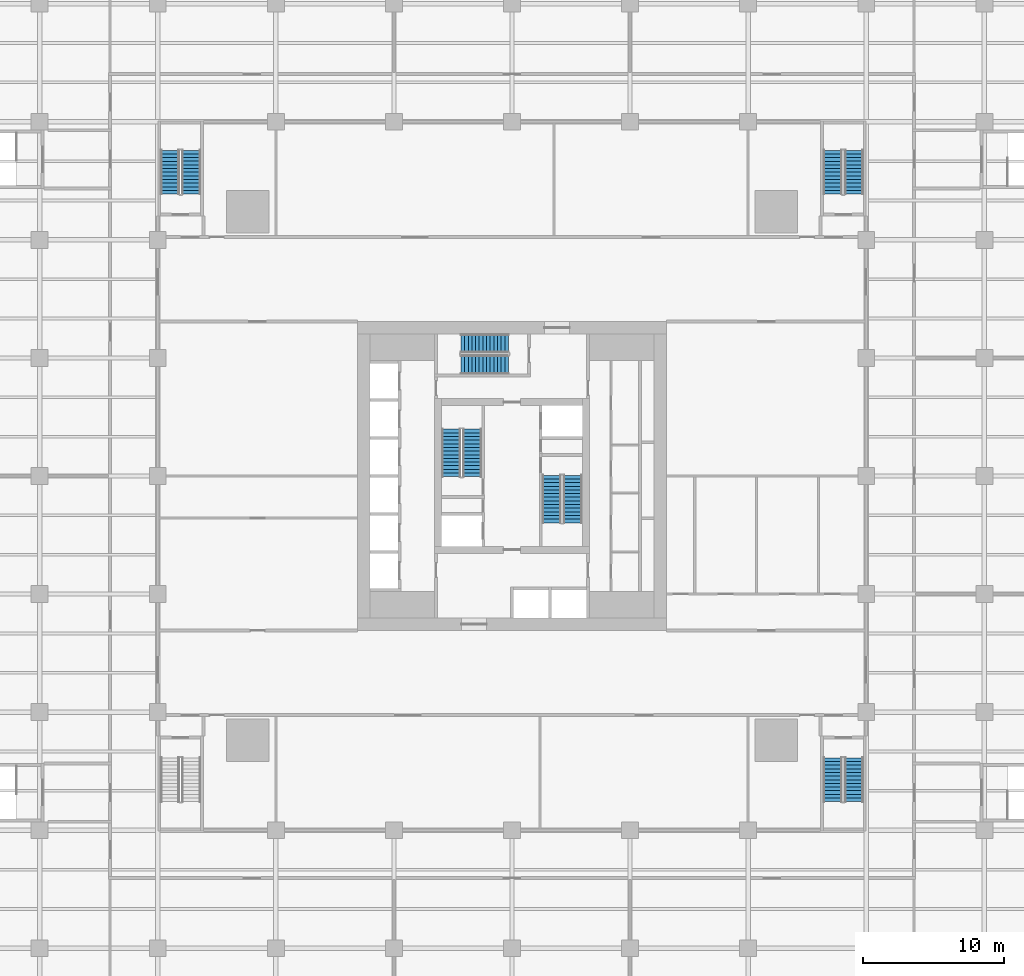
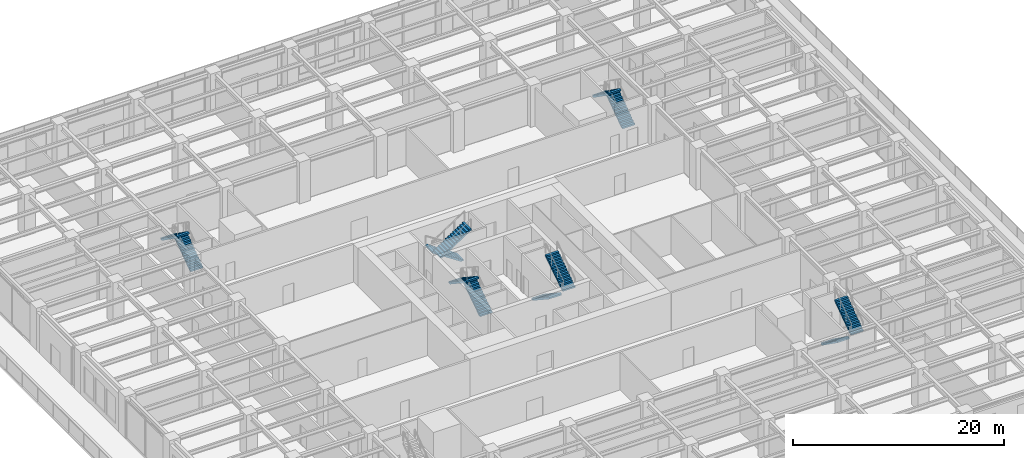
# One storey, part 45 of 53: 12 stair flights, 6 elements without a shape of their own.
"""IFC4 building model written with IfcOpenShell, lengths in metres."""

from ifc_helpers import new_model, si_unit, direction, frame, origin, place, context, subcontext, project, spatial, polyline, outline, extrude, material, type_object, element, aggregate, save


model = new_model("IFC4")

# Units and contexts
model_context = context("Model", 3, precision=1e-05, world=origin(), true_north=direction((0.0, 1.0)))
body_context = subcontext(model_context, "Body", "Model", "MODEL_VIEW")
ifc_project = project(units=[si_unit("LENGTHUNIT", "METRE"), si_unit("AREAUNIT", "SQUARE_METRE"), si_unit("VOLUMEUNIT", "CUBIC_METRE"), si_unit("PLANEANGLEUNIT", "RADIAN"), si_unit("MASSUNIT", "GRAM", prefix="KILO")], contexts=[model_context])

# Site, building, storey
site_placement = place(None, origin())
site = spatial("IfcSite", under=ifc_project, at=site_placement, CompositionType="ELEMENT")
building_placement = place(site_placement, origin())
building = spatial("IfcBuilding", under=site, at=building_placement, Name="Khepri Terraces", CompositionType="ELEMENT")
storey_placement = place(building_placement, frame((0.0, 0.0, 7.199951171875)))
storey = spatial("IfcBuildingStorey", under=building, at=storey_placement, Name="L01", CompositionType="ELEMENT", Elevation=7.199951171875)

# Stair, stair flights
ifc_material = material(Name="Concrete C40/50", Category="concrete")
stair_type_1 = type_object("IfcStairType", Name="ST-POD", PredefinedType="HALF_TURN_STAIR", material=ifc_material)
stair_1_placement = place(storey_placement, origin())
stair_1 = element("IfcStair", 1, at=stair_1_placement, inside=storey, type_object=stair_type_1, Name="L01 Exit Stair PS-1", PredefinedType="HALF_TURN_STAIR")
stair_flight_type_1 = type_object("IfcStairFlightType", Name="SFL-POD", PredefinedType="STRAIGHT", material=ifc_material)
stair_flight_1_placement = place(storey_placement, frame((24.324951171875, 20.050048828125, 0.0), z_axis=(0.0, 0.0, 1.0), x_axis=(0.0, 1.0, 0.0)))
stair_flight_1 = element("IfcStairFlight", 2, at=stair_flight_1_placement, type_object=stair_flight_type_1, Name="PS-1 flight 1", NumberOfRisers=13, NumberOfTreads=12, PredefinedType="STRAIGHT", RiserHeight=0.184615385, TreadLength=0.26, context=body_context, shape_type="SweptSolid", body=[
    extrude(outline(polyline([(0.0, 0.0), (0.0, 0.1845703125), (0.260009765625, 0.1845703125), (0.260009765625, 0.369140625), (0.52001953125, 0.369140625), (0.52001953125, 0.553955078125), (0.780029296875, 0.553955078125), (0.780029296875, 0.738525390625), (1.0400390625, 0.738525390625), (1.0400390625, 0.923095703125), (1.300048828125, 0.923095703125), (1.300048828125, 1.107666015625), (1.56005859375, 1.107666015625), (1.56005859375, 1.292236328125), (1.820068359375, 1.292236328125), (1.820068359375, 1.476806640625), (2.080078125, 1.476806640625), (2.080078125, 1.66162109375), (2.340087890625, 1.66162109375), (2.340087890625, 1.84619140625), (2.60009765625, 1.84619140625), (2.60009765625, 2.03076171875), (2.860107421875, 2.03076171875), (2.860107421875, 2.21533203125), (3.1201171875, 2.21533203125), (3.1201171875, 2.39990234375), (3.1201171875, 2.031494140625), (0.259033203125, 0.0), (0.0, 0.0)])), frame((0.0, 0.675048828125, 0.0), z_axis=(0.0, -1.0, 0.0), x_axis=(1.0, 0.0, 0.0)), (0.0, 0.0, 1.0), 1.35009765625),
])
stair_flight_2_placement = place(storey_placement, frame((22.824951171875, 23.169921875, 2.400146484375), z_axis=(0.0, 0.0, 1.0), x_axis=(0.0, -1.0, 0.0)))
stair_flight_2 = element("IfcStairFlight", 3, at=stair_flight_2_placement, type_object=stair_flight_type_1, Name="PS-1 flight 2", NumberOfRisers=13, NumberOfTreads=12, PredefinedType="STRAIGHT", RiserHeight=0.184615385, TreadLength=0.26, context=body_context, shape_type="SweptSolid", body=[
    extrude(outline(polyline([(0.0, 0.0), (0.0, 0.1845703125), (0.260009765625, 0.1845703125), (0.260009765625, 0.369140625), (0.52001953125, 0.369140625), (0.52001953125, 0.553955078125), (0.780029296875, 0.553955078125), (0.780029296875, 0.738525390625), (1.0400390625, 0.738525390625), (1.0400390625, 0.923095703125), (1.300048828125, 0.923095703125), (1.300048828125, 1.107666015625), (1.56005859375, 1.107666015625), (1.56005859375, 1.292236328125), (1.820068359375, 1.292236328125), (1.820068359375, 1.476806640625), (2.080078125, 1.476806640625), (2.080078125, 1.66162109375), (2.340087890625, 1.66162109375), (2.340087890625, 1.84619140625), (2.60009765625, 1.84619140625), (2.60009765625, 2.03076171875), (2.860107421875, 2.03076171875), (2.860107421875, 2.21533203125), (3.1201171875, 2.21533203125), (3.1201171875, 2.39990234375), (3.1201171875, 2.031494140625), (0.259033203125, 0.0), (0.0, 0.0)])), frame((0.0, 0.675048828125, 0.0), z_axis=(0.0, -1.0, 0.0), x_axis=(1.0, 0.0, 0.0)), (0.0, 0.0, 1.0), 1.35009765625),
])
aggregate(stair_1, [stair_flight_1, stair_flight_2])

stair_2_placement = place(storey_placement, origin())
stair_2 = element("IfcStair", 4, at=stair_2_placement, inside=storey, type_object=stair_type_1, Name="L01 Exit Stair PS-2", PredefinedType="HALF_TURN_STAIR")
stair_flight_3_placement = place(storey_placement, frame((-22.824951171875, 20.050048828125, 0.0), z_axis=(0.0, 0.0, 1.0), x_axis=(0.0, 1.0, 0.0)))
stair_flight_3 = element("IfcStairFlight", 5, at=stair_flight_3_placement, type_object=stair_flight_type_1, Name="PS-2 flight 1", NumberOfRisers=13, NumberOfTreads=12, PredefinedType="STRAIGHT", RiserHeight=0.184615385, TreadLength=0.26, context=body_context, shape_type="SweptSolid", body=[
    extrude(outline(polyline([(0.0, 0.0), (0.0, 0.1845703125), (0.260009765625, 0.1845703125), (0.260009765625, 0.369140625), (0.52001953125, 0.369140625), (0.52001953125, 0.553955078125), (0.780029296875, 0.553955078125), (0.780029296875, 0.738525390625), (1.0400390625, 0.738525390625), (1.0400390625, 0.923095703125), (1.300048828125, 0.923095703125), (1.300048828125, 1.107666015625), (1.56005859375, 1.107666015625), (1.56005859375, 1.292236328125), (1.820068359375, 1.292236328125), (1.820068359375, 1.476806640625), (2.080078125, 1.476806640625), (2.080078125, 1.66162109375), (2.340087890625, 1.66162109375), (2.340087890625, 1.84619140625), (2.60009765625, 1.84619140625), (2.60009765625, 2.03076171875), (2.860107421875, 2.03076171875), (2.860107421875, 2.21533203125), (3.1201171875, 2.21533203125), (3.1201171875, 2.39990234375), (3.1201171875, 2.031494140625), (0.259033203125, 0.0), (0.0, 0.0)])), frame((0.0, 0.675048828125, 0.0), z_axis=(0.0, -1.0, 0.0), x_axis=(1.0, 0.0, 0.0)), (0.0, 0.0, 1.0), 1.35009765625),
])
stair_flight_4_placement = place(storey_placement, frame((-24.324951171875, 23.169921875, 2.400146484375), z_axis=(0.0, 0.0, 1.0), x_axis=(0.0, -1.0, 0.0)))
stair_flight_4 = element("IfcStairFlight", 6, at=stair_flight_4_placement, type_object=stair_flight_type_1, Name="PS-2 flight 2", NumberOfRisers=13, NumberOfTreads=12, PredefinedType="STRAIGHT", RiserHeight=0.184615385, TreadLength=0.26, context=body_context, shape_type="SweptSolid", body=[
    extrude(outline(polyline([(0.0, 0.0), (0.0, 0.1845703125), (0.260009765625, 0.1845703125), (0.260009765625, 0.369140625), (0.52001953125, 0.369140625), (0.52001953125, 0.553955078125), (0.780029296875, 0.553955078125), (0.780029296875, 0.738525390625), (1.0400390625, 0.738525390625), (1.0400390625, 0.923095703125), (1.300048828125, 0.923095703125), (1.300048828125, 1.107666015625), (1.56005859375, 1.107666015625), (1.56005859375, 1.292236328125), (1.820068359375, 1.292236328125), (1.820068359375, 1.476806640625), (2.080078125, 1.476806640625), (2.080078125, 1.66162109375), (2.340087890625, 1.66162109375), (2.340087890625, 1.84619140625), (2.60009765625, 1.84619140625), (2.60009765625, 2.03076171875), (2.860107421875, 2.03076171875), (2.860107421875, 2.21533203125), (3.1201171875, 2.21533203125), (3.1201171875, 2.39990234375), (3.1201171875, 2.031494140625), (0.259033203125, 0.0), (0.0, 0.0)])), frame((0.0, 0.675048828125, 0.0), z_axis=(0.0, -1.0, 0.0), x_axis=(1.0, 0.0, 0.0)), (0.0, 0.0, 1.0), 1.35009765625),
])
aggregate(stair_2, [stair_flight_3, stair_flight_4])

stair_3_placement = place(storey_placement, origin())
stair_3 = element("IfcStair", 7, at=stair_3_placement, inside=storey, type_object=stair_type_1, Name="L01 Exit Stair PS-3", PredefinedType="HALF_TURN_STAIR")
stair_flight_5_placement = place(storey_placement, frame((22.824951171875, -20.050048828125, 0.0), z_axis=(0.0, 0.0, 1.0), x_axis=(0.0, -1.0, 0.0)))
stair_flight_5 = element("IfcStairFlight", 8, at=stair_flight_5_placement, type_object=stair_flight_type_1, Name="PS-3 flight 1", NumberOfRisers=13, NumberOfTreads=12, PredefinedType="STRAIGHT", RiserHeight=0.184615385, TreadLength=0.26, context=body_context, shape_type="SweptSolid", body=[
    extrude(outline(polyline([(0.0, 0.0), (0.0, 0.1845703125), (0.260009765625, 0.1845703125), (0.260009765625, 0.369140625), (0.52001953125, 0.369140625), (0.52001953125, 0.553955078125), (0.780029296875, 0.553955078125), (0.780029296875, 0.738525390625), (1.0400390625, 0.738525390625), (1.0400390625, 0.923095703125), (1.300048828125, 0.923095703125), (1.300048828125, 1.107666015625), (1.56005859375, 1.107666015625), (1.56005859375, 1.292236328125), (1.820068359375, 1.292236328125), (1.820068359375, 1.476806640625), (2.080078125, 1.476806640625), (2.080078125, 1.66162109375), (2.340087890625, 1.66162109375), (2.340087890625, 1.84619140625), (2.60009765625, 1.84619140625), (2.60009765625, 2.03076171875), (2.860107421875, 2.03076171875), (2.860107421875, 2.21533203125), (3.1201171875, 2.21533203125), (3.1201171875, 2.39990234375), (3.1201171875, 2.031494140625), (0.259033203125, 0.0), (0.0, 0.0)])), frame((0.0, 0.675048828125, 0.0), z_axis=(0.0, -1.0, 0.0), x_axis=(1.0, 0.0, 0.0)), (0.0, 0.0, 1.0), 1.35009765625),
])
stair_flight_6_placement = place(storey_placement, frame((24.324951171875, -23.169921875, 2.400146484375), z_axis=(0.0, 0.0, 1.0), x_axis=(0.0, 1.0, 0.0)))
stair_flight_6 = element("IfcStairFlight", 9, at=stair_flight_6_placement, type_object=stair_flight_type_1, Name="PS-3 flight 2", NumberOfRisers=13, NumberOfTreads=12, PredefinedType="STRAIGHT", RiserHeight=0.184615385, TreadLength=0.26, context=body_context, shape_type="SweptSolid", body=[
    extrude(outline(polyline([(0.0, 0.0), (0.0, 0.1845703125), (0.260009765625, 0.1845703125), (0.260009765625, 0.369140625), (0.52001953125, 0.369140625), (0.52001953125, 0.553955078125), (0.780029296875, 0.553955078125), (0.780029296875, 0.738525390625), (1.0400390625, 0.738525390625), (1.0400390625, 0.923095703125), (1.300048828125, 0.923095703125), (1.300048828125, 1.107666015625), (1.56005859375, 1.107666015625), (1.56005859375, 1.292236328125), (1.820068359375, 1.292236328125), (1.820068359375, 1.476806640625), (2.080078125, 1.476806640625), (2.080078125, 1.66162109375), (2.340087890625, 1.66162109375), (2.340087890625, 1.84619140625), (2.60009765625, 1.84619140625), (2.60009765625, 2.03076171875), (2.860107421875, 2.03076171875), (2.860107421875, 2.21533203125), (3.1201171875, 2.21533203125), (3.1201171875, 2.39990234375), (3.1201171875, 2.031494140625), (0.259033203125, 0.0), (0.0, 0.0)])), frame((0.0, 0.675048828125, 0.0), z_axis=(0.0, -1.0, 0.0), x_axis=(1.0, 0.0, 0.0)), (0.0, 0.0, 1.0), 1.35009765625),
])
aggregate(stair_3, [stair_flight_5, stair_flight_6])

stair_type_2 = type_object("IfcStairType", Name="STAIR-RC-28R", PredefinedType="HALF_TURN_STAIR", material=ifc_material)
stair_4_placement = place(storey_placement, origin())
stair_4 = element("IfcStair", 10, at=stair_4_placement, inside=storey, type_object=stair_type_2, Name="L01 Exit Stair ST-1", PredefinedType="HALF_TURN_STAIR")
stair_flight_type_2 = type_object("IfcStairFlightType", Name="SFL-RC-171.4", PredefinedType="STRAIGHT", material=ifc_material)
stair_flight_7_placement = place(storey_placement, frame((-2.824951171875, -0.050048828125, 0.0), z_axis=(0.0, 0.0, 1.0), x_axis=(0.0, 1.0, 0.0)))
stair_flight_7 = element("IfcStairFlight", 11, at=stair_flight_7_placement, type_object=stair_flight_type_2, Name="ST-1 flight 1", NumberOfRisers=14, NumberOfTreads=13, PredefinedType="STRAIGHT", RiserHeight=0.171428571, TreadLength=0.26, context=body_context, shape_type="SweptSolid", body=[
    extrude(outline(polyline([(0.0, 0.0), (0.0, 0.17138671875), (0.260009765625, 0.17138671875), (0.260009765625, 0.3427734375), (0.52001953125, 0.3427734375), (0.52001953125, 0.514404296875), (0.780029296875, 0.514404296875), (0.780029296875, 0.685791015625), (1.0400390625, 0.685791015625), (1.0400390625, 0.857177734375), (1.300048828125, 0.857177734375), (1.300048828125, 1.028564453125), (1.56005859375, 1.028564453125), (1.56005859375, 1.199951171875), (1.820068359375, 1.199951171875), (1.820068359375, 1.371337890625), (2.080078125, 1.371337890625), (2.080078125, 1.54296875), (2.340087890625, 1.54296875), (2.340087890625, 1.71435546875), (2.60009765625, 1.71435546875), (2.60009765625, 1.8857421875), (2.860107421875, 1.8857421875), (2.860107421875, 2.05712890625), (3.1201171875, 2.05712890625), (3.1201171875, 2.228515625), (3.3798828125, 2.228515625), (3.3798828125, 2.39990234375), (3.3798828125, 2.049072265625), (0.272216796875, 0.0), (0.0, 0.0)])), frame((0.0, 0.675048828125, 0.0), z_axis=(0.0, -1.0, 0.0), x_axis=(1.0, 0.0, 0.0)), (0.0, 0.0, 1.0), 1.35009765625),
])
stair_flight_8_placement = place(storey_placement, frame((-4.324951171875, 3.330078125, 2.400146484375), z_axis=(0.0, 0.0, 1.0), x_axis=(0.0, -1.0, 0.0)))
stair_flight_8 = element("IfcStairFlight", 12, at=stair_flight_8_placement, type_object=stair_flight_type_2, Name="ST-1 flight 2", NumberOfRisers=14, NumberOfTreads=13, PredefinedType="STRAIGHT", RiserHeight=0.171428571, TreadLength=0.26, context=body_context, shape_type="SweptSolid", body=[
    extrude(outline(polyline([(0.0, 0.0), (0.0, 0.17138671875), (0.260009765625, 0.17138671875), (0.260009765625, 0.3427734375), (0.52001953125, 0.3427734375), (0.52001953125, 0.514404296875), (0.780029296875, 0.514404296875), (0.780029296875, 0.685791015625), (1.0400390625, 0.685791015625), (1.0400390625, 0.857177734375), (1.300048828125, 0.857177734375), (1.300048828125, 1.028564453125), (1.56005859375, 1.028564453125), (1.56005859375, 1.199951171875), (1.820068359375, 1.199951171875), (1.820068359375, 1.371337890625), (2.080078125, 1.371337890625), (2.080078125, 1.54296875), (2.340087890625, 1.54296875), (2.340087890625, 1.71435546875), (2.60009765625, 1.71435546875), (2.60009765625, 1.8857421875), (2.860107421875, 1.8857421875), (2.860107421875, 2.05712890625), (3.1201171875, 2.05712890625), (3.1201171875, 2.228515625), (3.3798828125, 2.228515625), (3.3798828125, 2.39990234375), (3.3798828125, 2.049072265625), (0.272216796875, 0.0), (0.0, 0.0)])), frame((0.0, 0.675048828125, 0.0), z_axis=(0.0, -1.0, 0.0), x_axis=(1.0, 0.0, 0.0)), (0.0, 0.0, 1.0), 1.35009765625),
])
aggregate(stair_4, [stair_flight_7, stair_flight_8])

stair_5_placement = place(storey_placement, origin())
stair_5 = element("IfcStair", 13, at=stair_5_placement, inside=storey, type_object=stair_type_2, Name="L01 Exit Stair ST-2", PredefinedType="HALF_TURN_STAIR")
stair_flight_9_placement = place(storey_placement, frame((2.824951171875, 0.050048828125, 0.0), z_axis=(0.0, 0.0, 1.0), x_axis=(0.0, -1.0, 0.0)))
stair_flight_9 = element("IfcStairFlight", 14, at=stair_flight_9_placement, type_object=stair_flight_type_2, Name="ST-2 flight 1", NumberOfRisers=14, NumberOfTreads=13, PredefinedType="STRAIGHT", RiserHeight=0.171428571, TreadLength=0.26, context=body_context, shape_type="SweptSolid", body=[
    extrude(outline(polyline([(0.0, 0.0), (0.0, 0.17138671875), (0.260009765625, 0.17138671875), (0.260009765625, 0.3427734375), (0.52001953125, 0.3427734375), (0.52001953125, 0.514404296875), (0.780029296875, 0.514404296875), (0.780029296875, 0.685791015625), (1.0400390625, 0.685791015625), (1.0400390625, 0.857177734375), (1.300048828125, 0.857177734375), (1.300048828125, 1.028564453125), (1.56005859375, 1.028564453125), (1.56005859375, 1.199951171875), (1.820068359375, 1.199951171875), (1.820068359375, 1.371337890625), (2.080078125, 1.371337890625), (2.080078125, 1.54296875), (2.340087890625, 1.54296875), (2.340087890625, 1.71435546875), (2.60009765625, 1.71435546875), (2.60009765625, 1.8857421875), (2.860107421875, 1.8857421875), (2.860107421875, 2.05712890625), (3.1201171875, 2.05712890625), (3.1201171875, 2.228515625), (3.3798828125, 2.228515625), (3.3798828125, 2.39990234375), (3.3798828125, 2.049072265625), (0.272216796875, 0.0), (0.0, 0.0)])), frame((0.0, 0.675048828125, 0.0), z_axis=(0.0, -1.0, 0.0), x_axis=(1.0, 0.0, 0.0)), (0.0, 0.0, 1.0), 1.35009765625),
])
stair_flight_10_placement = place(storey_placement, frame((4.324951171875, -3.330078125, 2.400146484375), z_axis=(0.0, 0.0, 1.0), x_axis=(0.0, 1.0, 0.0)))
stair_flight_10 = element("IfcStairFlight", 15, at=stair_flight_10_placement, type_object=stair_flight_type_2, Name="ST-2 flight 2", NumberOfRisers=14, NumberOfTreads=13, PredefinedType="STRAIGHT", RiserHeight=0.171428571, TreadLength=0.26, context=body_context, shape_type="SweptSolid", body=[
    extrude(outline(polyline([(0.0, 0.0), (0.0, 0.17138671875), (0.260009765625, 0.17138671875), (0.260009765625, 0.3427734375), (0.52001953125, 0.3427734375), (0.52001953125, 0.514404296875), (0.780029296875, 0.514404296875), (0.780029296875, 0.685791015625), (1.0400390625, 0.685791015625), (1.0400390625, 0.857177734375), (1.300048828125, 0.857177734375), (1.300048828125, 1.028564453125), (1.56005859375, 1.028564453125), (1.56005859375, 1.199951171875), (1.820068359375, 1.199951171875), (1.820068359375, 1.371337890625), (2.080078125, 1.371337890625), (2.080078125, 1.54296875), (2.340087890625, 1.54296875), (2.340087890625, 1.71435546875), (2.60009765625, 1.71435546875), (2.60009765625, 1.8857421875), (2.860107421875, 1.8857421875), (2.860107421875, 2.05712890625), (3.1201171875, 2.05712890625), (3.1201171875, 2.228515625), (3.3798828125, 2.228515625), (3.3798828125, 2.39990234375), (3.3798828125, 2.049072265625), (0.272216796875, 0.0), (0.0, 0.0)])), frame((0.0, 0.675048828125, 0.0), z_axis=(0.0, -1.0, 0.0), x_axis=(1.0, 0.0, 0.0)), (0.0, 0.0, 1.0), 1.35009765625),
])
aggregate(stair_5, [stair_flight_9, stair_flight_10])

stair_6_placement = place(storey_placement, origin())
stair_6 = element("IfcStair", 16, at=stair_6_placement, inside=storey, type_object=stair_type_2, Name="L01 Exit Stair ST-3", PredefinedType="HALF_TURN_STAIR")
stair_flight_11_placement = place(storey_placement, frame((-0.25, 9.425048828125, 0.0), z_axis=(0.0, 0.0, 1.0), x_axis=(-1.0, 0.0, 0.0)))
stair_flight_11 = element("IfcStairFlight", 17, at=stair_flight_11_placement, type_object=stair_flight_type_2, Name="ST-3 flight 1", NumberOfRisers=14, NumberOfTreads=13, PredefinedType="STRAIGHT", RiserHeight=0.171428571, TreadLength=0.26, context=body_context, shape_type="SweptSolid", body=[
    extrude(outline(polyline([(0.0, 0.0), (0.0, 0.17138671875), (0.260009765625, 0.17138671875), (0.260009765625, 0.3427734375), (0.52001953125, 0.3427734375), (0.52001953125, 0.514404296875), (0.780029296875, 0.514404296875), (0.780029296875, 0.685791015625), (1.0400390625, 0.685791015625), (1.0400390625, 0.857177734375), (1.300048828125, 0.857177734375), (1.300048828125, 1.028564453125), (1.56005859375, 1.028564453125), (1.56005859375, 1.199951171875), (1.820068359375, 1.199951171875), (1.820068359375, 1.371337890625), (2.080078125, 1.371337890625), (2.080078125, 1.54296875), (2.340087890625, 1.54296875), (2.340087890625, 1.71435546875), (2.60009765625, 1.71435546875), (2.60009765625, 1.8857421875), (2.860107421875, 1.8857421875), (2.860107421875, 2.05712890625), (3.1201171875, 2.05712890625), (3.1201171875, 2.228515625), (3.3798828125, 2.228515625), (3.3798828125, 2.39990234375), (3.3798828125, 2.049072265625), (0.272216796875, 0.0), (0.0, 0.0)])), frame((0.0, 0.675048828125, 0.0), z_axis=(0.0, -1.0, 0.0), x_axis=(1.0, 0.0, 0.0)), (0.0, 0.0, 1.0), 1.35009765625),
])
stair_flight_12_placement = place(storey_placement, frame((-3.6298828125, 7.925048828125, 2.400146484375), z_axis=(0.0, 0.0, 1.0), x_axis=(1.0, 0.0, 0.0)))
stair_flight_12 = element("IfcStairFlight", 18, at=stair_flight_12_placement, type_object=stair_flight_type_2, Name="ST-3 flight 2", NumberOfRisers=14, NumberOfTreads=13, PredefinedType="STRAIGHT", RiserHeight=0.171428571, TreadLength=0.26, context=body_context, shape_type="SweptSolid", body=[
    extrude(outline(polyline([(0.0, 0.0), (0.0, 0.17138671875), (0.260009765625, 0.17138671875), (0.260009765625, 0.3427734375), (0.52001953125, 0.3427734375), (0.52001953125, 0.514404296875), (0.780029296875, 0.514404296875), (0.780029296875, 0.685791015625), (1.0400390625, 0.685791015625), (1.0400390625, 0.857177734375), (1.300048828125, 0.857177734375), (1.300048828125, 1.028564453125), (1.56005859375, 1.028564453125), (1.56005859375, 1.199951171875), (1.820068359375, 1.199951171875), (1.820068359375, 1.371337890625), (2.080078125, 1.371337890625), (2.080078125, 1.54296875), (2.340087890625, 1.54296875), (2.340087890625, 1.71435546875), (2.60009765625, 1.71435546875), (2.60009765625, 1.8857421875), (2.860107421875, 1.8857421875), (2.860107421875, 2.05712890625), (3.1201171875, 2.05712890625), (3.1201171875, 2.228515625), (3.3798828125, 2.228515625), (3.3798828125, 2.39990234375), (3.3798828125, 2.049072265625), (0.272216796875, 0.0), (0.0, 0.0)])), frame((0.0, 0.675048828125, 0.0), z_axis=(0.0, -1.0, 0.0), x_axis=(1.0, 0.0, 0.0)), (0.0, 0.0, 1.0), 1.35009765625),
])
aggregate(stair_6, [stair_flight_11, stair_flight_12])

save(model, "model.ifc")
